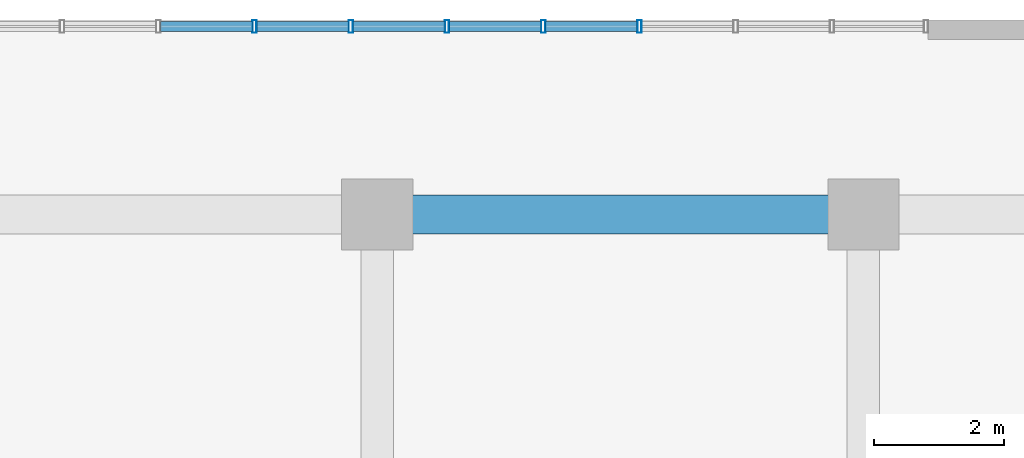
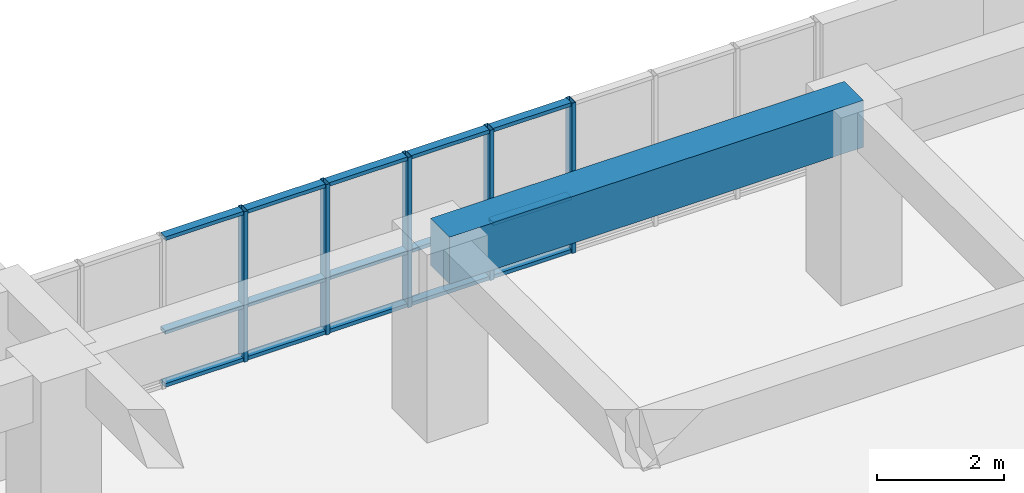
# One storey, part 14 of 30: 20 members, 1 beam, 1 element without a shape of its own.
"""IFC4 building model written with IfcOpenShell, lengths in metres."""

import ifcopenshell
import ifcopenshell.guid

model = None  # the IFC model being written
_history = None  # IfcOwnerHistory: only IFC2X3 demands one
_inside = {}  # id of a spatial element -> (the spatial element, [elements in it])
_under = {}  # id of a project, library or spatial element -> (it, [spatial elements below it])
_declared = {}  # id of a project -> (the project, [libraries it declares])
_typed = {}  # id of a type object -> (the type object, [elements of that type])
_made_of = {}  # id of a material, layer set ... -> (it, [elements and type objects made of it])


def new_model(schema):
    """Start an empty IFC model of exactly this schema.

    Asked for "IFC4X3", IfcOpenShell would pick the latest addendum, in which some entities
    have other attributes; the version numbers below select the first issue.
    IFC2X3 requires an IfcOwnerHistory on every rooted entity: one is made here for all.
    """
    global model, _history
    if schema == "IFC4X3":
        model = ifcopenshell.file(schema_version=(4, 3, 0, 0))
    else:
        model = ifcopenshell.file(schema=schema)
    _inside.clear()
    _under.clear()
    _declared.clear()
    _typed.clear()
    _made_of.clear()
    _history = None
    if model.schema == "IFC2X3":
        org = make("IfcOrganization", Name="unknown")
        user = make(
            "IfcPersonAndOrganization",
            ThePerson=make("IfcPerson", FamilyName="unknown"),
            TheOrganization=org,
        )
        app = make(
            "IfcApplication",
            ApplicationDeveloper=org,
            Version="unknown",
            ApplicationFullName="unknown",
            ApplicationIdentifier="unknown",
        )
        _history = make(
            "IfcOwnerHistory",
            OwningUser=user,
            OwningApplication=app,
            ChangeAction="ADDED",
            CreationDate=0,
        )
    return model


def make(cls, **values):
    """One entity of the class cls with the attributes given. An attribute that is None is left unset."""
    return model.create_entity(
        cls, **{name: value for name, value in values.items() if value is not None}
    )


def rooted(cls, **values):
    """An entity with a GlobalId (a new one), such as an element, a storey or a relation."""
    return make(cls, GlobalId=ifcopenshell.guid.new(), OwnerHistory=_history, **values)


def si_unit(unit_type, name, prefix=None):
    """IfcSIUnit, for example si_unit("LENGTHUNIT", "METRE", prefix="MILLI")."""
    return make("IfcSIUnit", UnitType=unit_type, Prefix=prefix, Name=name)


def assignment(units):
    """IfcUnitAssignment: the units of a project."""
    return None if units is None else make("IfcUnitAssignment", Units=units)


def point(xyz):
    """IfcCartesianPoint."""
    return None if xyz is None else make("IfcCartesianPoint", Coordinates=xyz)


def direction(xyz):
    """IfcDirection."""
    return None if xyz is None else make("IfcDirection", DirectionRatios=xyz)


def frame(location, z_axis=None, x_axis=None):
    """IfcAxis2Placement3D, a coordinate frame: its origin and axes. An axis left out is left unset."""
    return make(
        "IfcAxis2Placement3D",
        Location=point(location),
        Axis=direction(z_axis),
        RefDirection=direction(x_axis),
    )


def frame_2d(location, x_axis=None):
    """IfcAxis2Placement2D, a coordinate frame in the plane: its origin and x axis."""
    return make(
        "IfcAxis2Placement2D", Location=point(location), RefDirection=direction(x_axis)
    )


def origin():
    """The frame at (0, 0, 0) with its axes left unset."""
    return frame((0.0, 0.0, 0.0))


def origin_2d():
    """The frame at (0, 0) in the plane with its x axis left unset."""
    return frame_2d((0.0, 0.0))


def place(relative_to, where):
    """IfcLocalPlacement: puts the frame where relative to a parent placement (None: the world)."""
    return make(
        "IfcLocalPlacement", PlacementRelTo=relative_to, RelativePlacement=where
    )


def context(
    kind, dimensions, precision=None, world=None, true_north=None, identifier=None
):
    """IfcGeometricRepresentationContext, for example the 3D "Model" context."""
    return make(
        "IfcGeometricRepresentationContext",
        ContextIdentifier=identifier,
        ContextType=kind,
        CoordinateSpaceDimension=dimensions,
        Precision=precision,
        WorldCoordinateSystem=world,
        TrueNorth=true_north,
    )


def subcontext(parent, identifier, kind, view, scale=None):
    """IfcGeometricRepresentationSubContext, for example "Body" below "Model"."""
    return make(
        "IfcGeometricRepresentationSubContext",
        ContextIdentifier=identifier,
        ContextType=kind,
        ParentContext=parent,
        TargetScale=scale,
        TargetView=view,
    )


def project(units=None, contexts=None):
    """IfcProject with its units and contexts."""
    return rooted(
        "IfcProject",
        Name="project",
        RepresentationContexts=contexts,
        UnitsInContext=assignment(units),
    )


def spatial(cls, under=None, at=None, **own):
    """A site, building, storey or space (cls), placed at a placement, below another one or the project."""
    s = rooted(cls, ObjectPlacement=at, **own)
    if under is not None:
        _under.setdefault(under.id(), (under, []))[1].append(s)
    return s


def profile(cls, at=None, kind="AREA", **sizes):
    """A parametric profile (cls). Its sizes go by their IFC names, for example OverallWidth=200.0."""
    return make(cls, ProfileType=kind, Position=at, **sizes)


def rectangle(**sizes):
    """IfcRectangleProfileDef."""
    return profile("IfcRectangleProfileDef", **sizes)


def hollow_rectangle(**sizes):
    """IfcRectangleHollowProfileDef."""
    return profile("IfcRectangleHollowProfileDef", **sizes)


def extrude(swept, where, along, depth):
    """IfcExtrudedAreaSolid: the profile swept, set in the frame where, extruded along a direction by depth."""
    return make(
        "IfcExtrudedAreaSolid",
        SweptArea=swept,
        Position=where,
        ExtrudedDirection=direction(along),
        Depth=depth,
    )


def shape(context_of_items, identifier, shape_type, items):
    """IfcShapeRepresentation: the items that make up one representation, for example the "Body"."""
    return make(
        "IfcShapeRepresentation",
        ContextOfItems=context_of_items,
        RepresentationIdentifier=identifier,
        RepresentationType=shape_type,
        Items=items,
    )


def source(mapping_origin, context_of_items, identifier, shape_type, items):
    """IfcRepresentationMap: a shape defined once, which mapped items show again and again."""
    return make(
        "IfcRepresentationMap",
        MappingOrigin=mapping_origin,
        MappedRepresentation=shape(context_of_items, identifier, shape_type, items),
    )


def transform(
    local_origin,
    x_axis=None,
    y_axis=None,
    z_axis=None,
    scale=None,
    scale2=None,
    scale3=None,
    uniform=True,
):
    """IfcCartesianTransformationOperator3D, or its non-uniform kind. x_axis, y_axis, z_axis: its Axis1, 2, 3."""
    if uniform:
        return make(
            "IfcCartesianTransformationOperator3D",
            Axis1=direction(x_axis),
            Axis2=direction(y_axis),
            LocalOrigin=point(local_origin),
            Scale=scale,
            Axis3=direction(z_axis),
        )
    return make(
        "IfcCartesianTransformationOperator3DnonUniform",
        Axis1=direction(x_axis),
        Axis2=direction(y_axis),
        LocalOrigin=point(local_origin),
        Scale=scale,
        Axis3=direction(z_axis),
        Scale2=scale2,
        Scale3=scale3,
    )


def mapped(mapping_source, mapping_target):
    """IfcMappedItem: shows the shape of a source again, moved by a transform."""
    return make(
        "IfcMappedItem", MappingSource=mapping_source, MappingTarget=mapping_target
    )


def material(Name=None, Category=None):
    """IfcMaterial."""
    return make("IfcMaterial", Name=Name, Category=Category)


def layer(
    of_material, thickness, ventilated=None, Name=None, Category=None, Priority=None
):
    """IfcMaterialLayer: one layer of a wall or slab, of a material (None: an air gap)."""
    return make(
        "IfcMaterialLayer",
        Material=of_material,
        LayerThickness=thickness,
        IsVentilated=ventilated,
        Name=Name,
        Category=Category,
        Priority=Priority,
    )


def layer_set(layers, Name=None):
    """IfcMaterialLayerSet."""
    return make("IfcMaterialLayerSet", MaterialLayers=layers, LayerSetName=Name)


def material_profile(
    of_material, cross_section, Name=None, Category=None, Priority=None
):
    """IfcMaterialProfile: a cross section and its material."""
    return make(
        "IfcMaterialProfile",
        Name=Name,
        Material=of_material,
        Profile=cross_section,
        Priority=Priority,
        Category=Category,
    )


def profile_set(profiles, Name=None, composite=None):
    """IfcMaterialProfileSet."""
    return make(
        "IfcMaterialProfileSet",
        Name=Name,
        MaterialProfiles=profiles,
        CompositeProfile=composite,
    )


def made_of(thing, what):
    """Note that an element or type object is made of a material, layer set ...; save() writes the relation."""
    if what is not None:
        _made_of.setdefault(what.id(), (what, []))[1].append(thing)
    return thing


def type_object(cls, material=None, **own):
    """A type object (cls), such as IfcWallType, which elements share."""
    return made_of(rooted(cls, **own), material)


def element(
    cls,
    number,
    at=None,
    inside=None,
    cuts=None,
    type_object=None,
    material=None,
    context=None,
    identifier="Body",
    shape_type=None,
    held_by="IfcProductDefinitionShape",
    body=None,
    shapes=None,
    **own,
):
    """One element of the class cls, such as IfcWall. Its Tag is "e" and its number.

    at: its placement. inside: the storey or other place that contains it. cuts: it is an
    opening in that element (IfcRelVoidsElement). A single representation is given by context,
    identifier, shape_type and body (its items); several are given by shapes. held_by: the class
    of the entity that holds the representations. save() writes the other relations.
    """
    e = rooted(cls, Tag="e%d" % number, ObjectPlacement=at, **own)
    if body is not None:
        shapes = [shape(context, identifier, shape_type, body)]
    if shapes is not None:
        e.Representation = make(held_by, Representations=shapes)
    if inside is not None:
        _inside.setdefault(inside.id(), (inside, []))[1].append(e)
    if cuts is not None:
        rooted(
            "IfcRelVoidsElement", RelatingBuildingElement=cuts, RelatedOpeningElement=e
        )
    if type_object is not None:
        _typed.setdefault(type_object.id(), (type_object, []))[1].append(e)
    return made_of(e, material)


def aggregate(whole, parts):
    """IfcRelAggregates: a whole, such as a stair, and the parts it consists of."""
    return rooted("IfcRelAggregates", RelatingObject=whole, RelatedObjects=parts)


def save(model, path):
    """Write the relations noted so far, then the file.

    IfcRelAggregates (storeys below a building ...), IfcRelContainedInSpatialStructure (elements
    in a storey), IfcRelDefinesByType, IfcRelAssociatesMaterial and IfcRelDeclares: one each for
    every whole, place, type object, material and project.
    """
    for whole, parts in _under.values():
        aggregate(whole, parts)
    for where, things in _inside.values():
        rooted(
            "IfcRelContainedInSpatialStructure",
            RelatedElements=things,
            RelatingStructure=where,
        )
    for kind, things in _typed.values():
        rooted("IfcRelDefinesByType", RelatedObjects=things, RelatingType=kind)
    for what, things in _made_of.values():
        rooted("IfcRelAssociatesMaterial", RelatedObjects=things, RelatingMaterial=what)
    for by, libraries in _declared.values():
        rooted("IfcRelDeclares", RelatingContext=by, RelatedDefinitions=libraries)
    model.write(path)


model = new_model("IFC4")

# Units and contexts
model_context = context("Model", 3, precision=1e-05, world=origin(), true_north=direction((0.0, 1.0)))
body_context = subcontext(model_context, "Body", "Model", "MODEL_VIEW")
ifc_project = project(units=[si_unit("LENGTHUNIT", "METRE"), si_unit("AREAUNIT", "SQUARE_METRE"), si_unit("VOLUMEUNIT", "CUBIC_METRE"), si_unit("PLANEANGLEUNIT", "RADIAN"), si_unit("MASSUNIT", "GRAM", prefix="KILO")], contexts=[model_context])

# Site, building, storey
site_placement = place(None, origin())
site = spatial("IfcSite", under=ifc_project, at=site_placement, CompositionType="ELEMENT")
building_placement = place(site_placement, origin())
building = spatial("IfcBuilding", under=site, at=building_placement, Name="Saelheon Loggia Tower", CompositionType="ELEMENT")
storey_placement = place(building_placement, frame((0.0, 0.0, 7.800048828125)))
storey = spatial("IfcBuildingStorey", under=building, at=storey_placement, Name="L02", CompositionType="ELEMENT", Elevation=7.800048828125)

# Beam
ifc_material_1 = material(Name="Concrete C50/60", Category="concrete")
ifc_material_profile_1 = material_profile(ifc_material_1, rectangle(XDim=0.60009765625, YDim=0.89990234375, at=origin_2d()), Name="RC-600x900")
ifc_profile_set_1 = profile_set([ifc_material_profile_1], Name="Concrete C50/60")
beam_type = type_object("IfcBeamType", Name="Beam_MainGirder_RC600x900", PredefinedType="BEAM", material=ifc_profile_set_1)
shared_shape_1 = source(origin(), body_context, "Body", "SweptSolid", [
    extrude(rectangle(XDim=0.60009765625, YDim=0.89990234375, at=origin_2d()), origin(), (0.0, 0.0, 1.0), 7.5),
])
beam_placement = place(storey_placement, frame((51.5, 51.0, 3.14990234375), z_axis=(1.0, 0.0, 0.0), x_axis=(0.0, 1.0, 0.0)))
element("IfcBeam", 1, at=beam_placement, inside=storey, type_object=beam_type, Name="BM-L02-EW-51-8", PredefinedType="BEAM", context=body_context, shape_type="MappedRepresentation", body=[
    mapped(shared_shape_1, transform((0.0, 0.0, 0.0), scale=1.0)),
])

# Curtain wall, members
ifc_material_2 = material(Name="Aluminium 6063-T6 and Low-E IGU", Category="aluminium")
ifc_layer = layer(ifc_material_2, 0.179931640625)
ifc_layer_set = layer_set([ifc_layer], Name="Aluminium 6063-T6 and Low-E IGU")
curtain_wall_type = type_object("IfcCurtainWallType", Name="CW_PodiumClinic", PredefinedType="NOTDEFINED", material=ifc_layer_set)
curtain_wall_placement = place(storey_placement, origin())
curtain_wall = element("IfcCurtainWall", 2, at=curtain_wall_placement, inside=storey, type_object=curtain_wall_type, Name="L02 North Clinic Curtain Wall 3", PredefinedType="NOTDEFINED")
ifc_material_3 = material(Name="Anodised Aluminium 6063-T6", Category="aluminium")
ifc_material_profile_2 = material_profile(ifc_material_3, hollow_rectangle(XDim=0.070068359375, YDim=0.14990234375, WallThickness=0.0048828125, at=origin_2d()), Name="RHS-150x70x5")
ifc_profile_set_2 = profile_set([ifc_material_profile_2], Name="Anodised Aluminium 6063-T6")
member_type_1 = type_object("IfcMemberType", Name="CW_PodiumClinic_Transom", PredefinedType="USERDEFINED", material=ifc_profile_set_2)
shared_shape_2 = source(origin(), body_context, "Body", "SweptSolid", [
    extrude(hollow_rectangle(XDim=0.070068359375, YDim=0.14990234375, WallThickness=0.0048828125, at=origin_2d()), origin(), (0.0, 0.0, 1.0), 1.4150390625),
])
member_1_placement = place(storey_placement, frame((48.155029296875, 53.89990234375, 0.034912109375), z_axis=(1.0, 0.0, 0.0), x_axis=(0.0, 0.0, 1.0)))
member_1 = element("IfcMember", 3, at=member_1_placement, type_object=member_type_1, Name="CW1 transom 3.1", ObjectType="TRANSOM", PredefinedType="USERDEFINED", context=body_context, shape_type="MappedRepresentation", body=[
    mapped(shared_shape_2, transform((0.0, 0.0, 0.0), scale=1.0)),
])
member_2_placement = place(storey_placement, frame((48.155029296875, 53.89990234375, 1.050048828125), z_axis=(1.0, 0.0, 0.0), x_axis=(0.0, 0.0, 1.0)))
member_2 = element("IfcMember", 4, at=member_2_placement, type_object=member_type_1, Name="CW1 transom 3.2", ObjectType="TRANSOM", PredefinedType="USERDEFINED", context=body_context, shape_type="MappedRepresentation", body=[
    mapped(shared_shape_2, transform((0.0, 0.0, 0.0), scale=1.0)),
])
member_3_placement = place(storey_placement, frame((48.155029296875, 53.89990234375, 2.844970703125), z_axis=(1.0, 0.0, 0.0), x_axis=(0.0, 0.0, 1.0)))
member_3 = element("IfcMember", 5, at=member_3_placement, type_object=member_type_1, Name="CW1 transom 3.3", ObjectType="TRANSOM", PredefinedType="USERDEFINED", context=body_context, shape_type="MappedRepresentation", body=[
    mapped(shared_shape_2, transform((0.0, 0.0, 0.0), scale=1.0)),
])
member_4_placement = place(storey_placement, frame((49.639892578125, 53.89990234375, 0.034912109375), z_axis=(1.0, 0.0, 0.0), x_axis=(0.0, 0.0, 1.0)))
member_4 = element("IfcMember", 6, at=member_4_placement, type_object=member_type_1, Name="CW1 transom 4.1", ObjectType="TRANSOM", PredefinedType="USERDEFINED", context=body_context, shape_type="MappedRepresentation", body=[
    mapped(shared_shape_2, transform((0.0, 0.0, 0.0), scale=1.0)),
])
member_5_placement = place(storey_placement, frame((49.639892578125, 53.89990234375, 1.050048828125), z_axis=(1.0, 0.0, 0.0), x_axis=(0.0, 0.0, 1.0)))
member_5 = element("IfcMember", 7, at=member_5_placement, type_object=member_type_1, Name="CW1 transom 4.2", ObjectType="TRANSOM", PredefinedType="USERDEFINED", context=body_context, shape_type="MappedRepresentation", body=[
    mapped(shared_shape_2, transform((0.0, 0.0, 0.0), scale=1.0)),
])
member_6_placement = place(storey_placement, frame((49.639892578125, 53.89990234375, 2.844970703125), z_axis=(1.0, 0.0, 0.0), x_axis=(0.0, 0.0, 1.0)))
member_6 = element("IfcMember", 8, at=member_6_placement, type_object=member_type_1, Name="CW1 transom 4.3", ObjectType="TRANSOM", PredefinedType="USERDEFINED", context=body_context, shape_type="MappedRepresentation", body=[
    mapped(shared_shape_2, transform((0.0, 0.0, 0.0), scale=1.0)),
])
member_7_placement = place(storey_placement, frame((51.125, 53.89990234375, 0.034912109375), z_axis=(1.0, 0.0, 0.0), x_axis=(0.0, 0.0, 1.0)))
member_7 = element("IfcMember", 9, at=member_7_placement, type_object=member_type_1, Name="CW1 transom 5.1", ObjectType="TRANSOM", PredefinedType="USERDEFINED", context=body_context, shape_type="MappedRepresentation", body=[
    mapped(shared_shape_2, transform((0.0, 0.0, 0.0), scale=1.0)),
])
member_8_placement = place(storey_placement, frame((51.125, 53.89990234375, 1.050048828125), z_axis=(1.0, 0.0, 0.0), x_axis=(0.0, 0.0, 1.0)))
member_8 = element("IfcMember", 10, at=member_8_placement, type_object=member_type_1, Name="CW1 transom 5.2", ObjectType="TRANSOM", PredefinedType="USERDEFINED", context=body_context, shape_type="MappedRepresentation", body=[
    mapped(shared_shape_2, transform((0.0, 0.0, 0.0), scale=1.0)),
])
member_9_placement = place(storey_placement, frame((51.125, 53.89990234375, 2.844970703125), z_axis=(1.0, 0.0, 0.0), x_axis=(0.0, 0.0, 1.0)))
member_9 = element("IfcMember", 11, at=member_9_placement, type_object=member_type_1, Name="CW1 transom 5.3", ObjectType="TRANSOM", PredefinedType="USERDEFINED", context=body_context, shape_type="MappedRepresentation", body=[
    mapped(shared_shape_2, transform((0.0, 0.0, 0.0), scale=1.0)),
])
member_10_placement = place(storey_placement, frame((54.094970703125, 53.89990234375, 0.034912109375), z_axis=(1.0, 0.0, 0.0), x_axis=(0.0, 0.0, 1.0)))
member_10 = element("IfcMember", 12, at=member_10_placement, type_object=member_type_1, Name="CW1 transom 7.1", ObjectType="TRANSOM", PredefinedType="USERDEFINED", context=body_context, shape_type="MappedRepresentation", body=[
    mapped(shared_shape_2, transform((0.0, 0.0, 0.0), scale=1.0)),
])
member_11_placement = place(storey_placement, frame((54.094970703125, 53.89990234375, 1.050048828125), z_axis=(1.0, 0.0, 0.0), x_axis=(0.0, 0.0, 1.0)))
member_11 = element("IfcMember", 13, at=member_11_placement, type_object=member_type_1, Name="CW1 transom 7.2", ObjectType="TRANSOM", PredefinedType="USERDEFINED", context=body_context, shape_type="MappedRepresentation", body=[
    mapped(shared_shape_2, transform((0.0, 0.0, 0.0), scale=1.0)),
])
member_12_placement = place(storey_placement, frame((54.094970703125, 53.89990234375, 2.844970703125), z_axis=(1.0, 0.0, 0.0), x_axis=(0.0, 0.0, 1.0)))
member_12 = element("IfcMember", 14, at=member_12_placement, type_object=member_type_1, Name="CW1 transom 7.3", ObjectType="TRANSOM", PredefinedType="USERDEFINED", context=body_context, shape_type="MappedRepresentation", body=[
    mapped(shared_shape_2, transform((0.0, 0.0, 0.0), scale=1.0)),
])
shared_shape_3 = source(origin(), body_context, "Body", "SweptSolid", [
    extrude(hollow_rectangle(XDim=0.070068359375, YDim=0.14990234375, WallThickness=0.0048828125, at=origin_2d()), origin(), (0.0, 0.0, 1.0), 1.414794921875),
])
member_13_placement = place(storey_placement, frame((52.610107421875, 53.89990234375, 0.034912109375), z_axis=(1.0, 0.0, 0.0), x_axis=(0.0, 0.0, 1.0)))
member_13 = element("IfcMember", 15, at=member_13_placement, type_object=member_type_1, Name="CW1 transom 6.1", ObjectType="TRANSOM", PredefinedType="USERDEFINED", context=body_context, shape_type="MappedRepresentation", body=[
    mapped(shared_shape_3, transform((0.0, 0.0, 0.0), scale=1.0)),
])
member_14_placement = place(storey_placement, frame((52.610107421875, 53.89990234375, 1.050048828125), z_axis=(1.0, 0.0, 0.0), x_axis=(0.0, 0.0, 1.0)))
member_14 = element("IfcMember", 16, at=member_14_placement, type_object=member_type_1, Name="CW1 transom 6.2", ObjectType="TRANSOM", PredefinedType="USERDEFINED", context=body_context, shape_type="MappedRepresentation", body=[
    mapped(shared_shape_3, transform((0.0, 0.0, 0.0), scale=1.0)),
])
member_15_placement = place(storey_placement, frame((52.610107421875, 53.89990234375, 2.844970703125), z_axis=(1.0, 0.0, 0.0), x_axis=(0.0, 0.0, 1.0)))
member_15 = element("IfcMember", 17, at=member_15_placement, type_object=member_type_1, Name="CW1 transom 6.3", ObjectType="TRANSOM", PredefinedType="USERDEFINED", context=body_context, shape_type="MappedRepresentation", body=[
    mapped(shared_shape_3, transform((0.0, 0.0, 0.0), scale=1.0)),
])
ifc_material_profile_3 = material_profile(ifc_material_3, hollow_rectangle(XDim=0.070068359375, YDim=0.199951171875, WallThickness=0.0048828125, at=origin_2d()), Name="RHS-200x70x5")
ifc_profile_set_3 = profile_set([ifc_material_profile_3], Name="Anodised Aluminium 6063-T6")
member_type_2 = type_object("IfcMemberType", Name="CW_PodiumClinic_Mullion", PredefinedType="MULLION", material=ifc_profile_set_3)
shared_shape_4 = source(origin(), body_context, "Body", "SweptSolid", [
    extrude(hollow_rectangle(XDim=0.070068359375, YDim=0.199951171875, WallThickness=0.0048828125, at=origin_2d()), origin(), (0.0, 0.0, 1.0), 2.8798828125),
])
member_16_placement = place(storey_placement, frame((49.60498046875, 53.89990234375, 0.0), z_axis=(0.0, 0.0, 1.0), x_axis=(1.0, 0.0, 0.0)))
member_16 = element("IfcMember", 18, at=member_16_placement, type_object=member_type_2, Name="CW1 mullion 4", PredefinedType="MULLION", context=body_context, shape_type="MappedRepresentation", body=[
    mapped(shared_shape_4, transform((0.0, 0.0, 0.0), scale=1.0)),
])
member_17_placement = place(storey_placement, frame((51.090087890625, 53.89990234375, 0.0), z_axis=(0.0, 0.0, 1.0), x_axis=(1.0, 0.0, 0.0)))
member_17 = element("IfcMember", 19, at=member_17_placement, type_object=member_type_2, Name="CW1 mullion 5", PredefinedType="MULLION", context=body_context, shape_type="MappedRepresentation", body=[
    mapped(shared_shape_4, transform((0.0, 0.0, 0.0), scale=1.0)),
])
member_18_placement = place(storey_placement, frame((52.574951171875, 53.89990234375, 0.0), z_axis=(0.0, 0.0, 1.0), x_axis=(1.0, 0.0, 0.0)))
member_18 = element("IfcMember", 20, at=member_18_placement, type_object=member_type_2, Name="CW1 mullion 6", PredefinedType="MULLION", context=body_context, shape_type="MappedRepresentation", body=[
    mapped(shared_shape_4, transform((0.0, 0.0, 0.0), scale=1.0)),
])
member_19_placement = place(storey_placement, frame((54.06005859375, 53.89990234375, 0.0), z_axis=(0.0, 0.0, 1.0), x_axis=(1.0, 0.0, 0.0)))
member_19 = element("IfcMember", 21, at=member_19_placement, type_object=member_type_2, Name="CW1 mullion 7", PredefinedType="MULLION", context=body_context, shape_type="MappedRepresentation", body=[
    mapped(shared_shape_4, transform((0.0, 0.0, 0.0), scale=1.0)),
])
member_20_placement = place(storey_placement, frame((55.544921875, 53.89990234375, 0.0), z_axis=(0.0, 0.0, 1.0), x_axis=(1.0, 0.0, 0.0)))
member_20 = element("IfcMember", 22, at=member_20_placement, type_object=member_type_2, Name="CW1 mullion 8", PredefinedType="MULLION", context=body_context, shape_type="MappedRepresentation", body=[
    mapped(shared_shape_4, transform((0.0, 0.0, 0.0), scale=1.0)),
])
aggregate(curtain_wall, [member_16, member_17, member_18, member_19, member_20, member_1, member_2, member_3, member_4, member_5, member_6, member_7, member_8, member_9, member_13, member_14, member_15, member_10, member_11, member_12])

save(model, "model.ifc")
